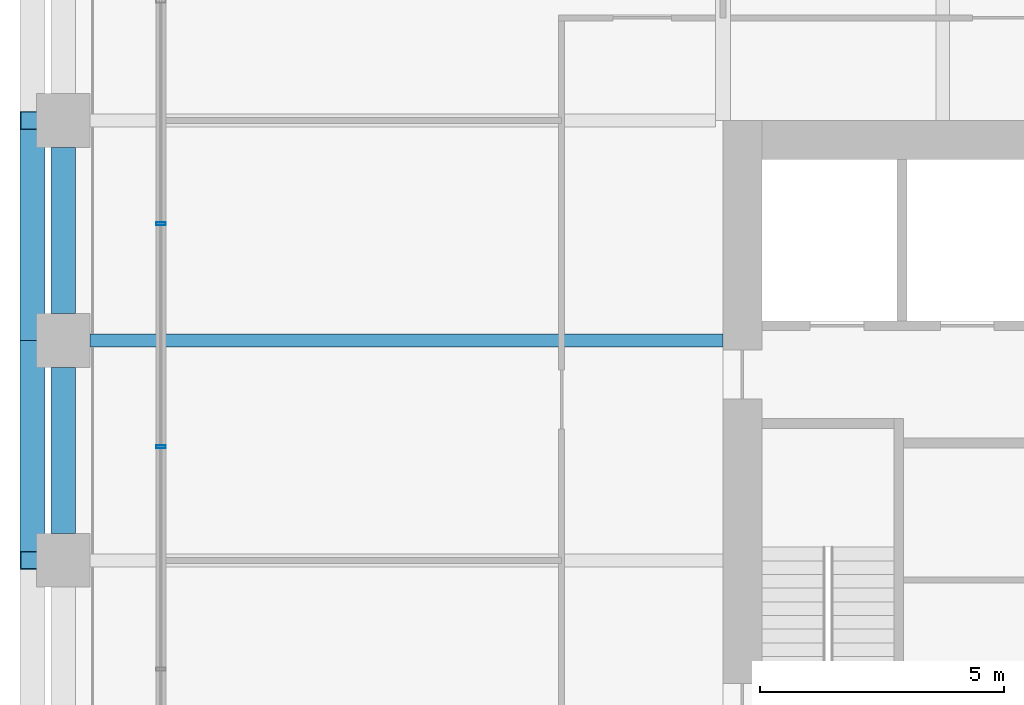
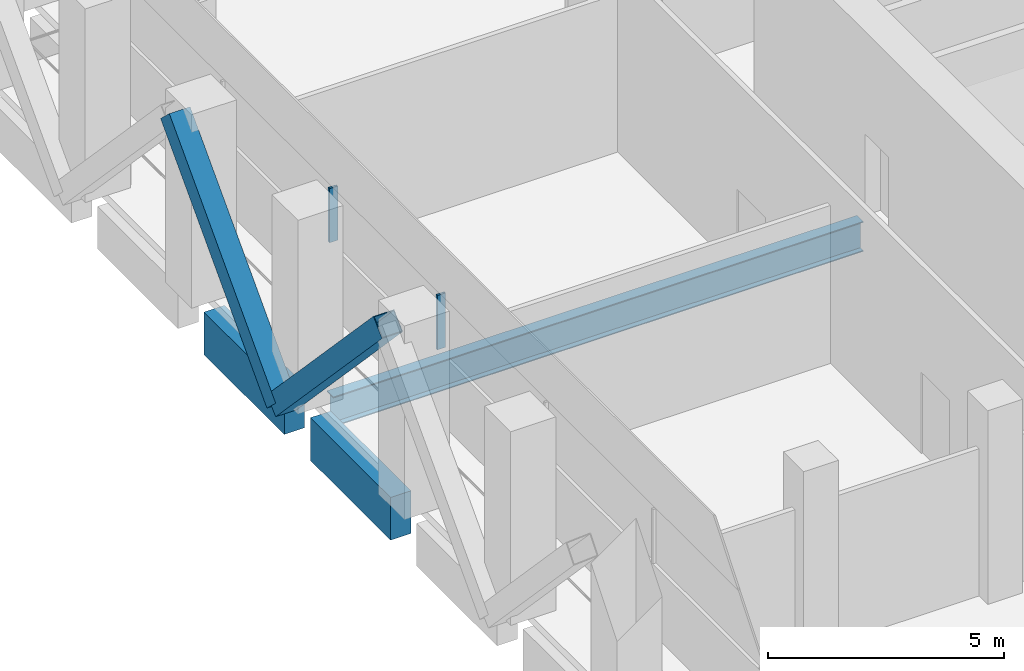
# One storey, part 9 of 44: 4 members, 3 beams, 1 element without a shape of its own.
"""IFC4 building model written with IfcOpenShell, lengths in metres."""

from ifc_helpers import new_model, si_unit, direction, frame, origin, origin_2d, place, context, subcontext, project, spatial, rectangle, hollow_rectangle, i_section, extrude, material, material_profile, profile_set, type_object, element, aggregate, save


model = new_model("IFC4")

# Units and contexts
model_context = context("Model", 3, precision=1e-05, world=origin(), true_north=direction((0.0, 1.0)))
body_context = subcontext(model_context, "Body", "Model", "MODEL_VIEW")
ifc_project = project(units=[si_unit("LENGTHUNIT", "METRE"), si_unit("AREAUNIT", "SQUARE_METRE"), si_unit("VOLUMEUNIT", "CUBIC_METRE"), si_unit("PLANEANGLEUNIT", "RADIAN"), si_unit("MASSUNIT", "GRAM", prefix="KILO")], contexts=[model_context])

# Site, building, storey
site_placement = place(None, origin())
site = spatial("IfcSite", under=ifc_project, at=site_placement, CompositionType="ELEMENT")
building_placement = place(site_placement, origin())
building = spatial("IfcBuilding", under=site, at=building_placement, Name="Altepetl Exchange Towers", CompositionType="ELEMENT")
storey_placement = place(building_placement, frame((0.0, 0.0, 87.0)))
storey = spatial("IfcBuildingStorey", under=building, at=storey_placement, Name="L21 Refuge", CompositionType="ELEMENT", Elevation=87.0)

# Members
ifc_material_1 = material(Name="Steel S355", Category="steel")
ifc_material_profile_1 = material_profile(ifc_material_1, hollow_rectangle(XDim=0.508056640625, YDim=0.508056640625, WallThickness=0.017578125, at=origin_2d()), Name="HSS508X508X19.0")
ifc_profile_set_1 = profile_set([ifc_material_profile_1], Name="Steel S355")
member_type_1 = type_object("IfcMemberType", Name="Belt diagonal HSS508X508X19.0", PredefinedType="BRACE", material=ifc_profile_set_1)
for number, where, z_axis, x_axis, name in (
    (1, (26.3701171875, 58.5, 4.75), (0.0, -0.687744647911, -0.725952683906), (1.0, 0.0, 0.0), "brc:A:L21:023"),
    (2, (26.3701171875, 54.0, 0.0), (0.0, -0.687744647911, 0.725952683906), (1.0, 0.0, 0.0), "brc:A:L21:024"),
):
    element("IfcMember", number, at=place(storey_placement, frame(where, z_axis=z_axis, x_axis=x_axis)), inside=storey, type_object=member_type_1, Name=name, PredefinedType="BRACE", context=body_context, shape_type="SweptSolid", body=[
        extrude(hollow_rectangle(XDim=0.508056640625, YDim=0.508056640625, WallThickness=0.017578125, at=origin_2d()), origin(), (0.0, 0.0, 1.0), 6.543212890625),
    ])

# Beam
ifc_material_profile_2 = material_profile(ifc_material_1, i_section(OverallWidth=0.26806640625, OverallDepth=0.77392578125, WebThickness=0.015380859375, FlangeThickness=0.025390625, at=origin_2d()), Name="W30X132")
ifc_profile_set_2 = profile_set([ifc_material_profile_2], Name="Steel S355")
beam_type_1 = type_object("IfcBeamType", Name="Floor beam W30X132", PredefinedType="BEAM", material=ifc_profile_set_2)
beam_placement = place(storey_placement, frame((27.550048828125, 54.0, -0.5869140625), z_axis=(1.0, 0.0, 0.0), x_axis=(0.0, 1.0, 0.0)))
element("IfcBeam", 3, at=beam_placement, inside=storey, type_object=beam_type_1, Name="bm:A:L21:020", PredefinedType="BEAM", context=body_context, shape_type="SweptSolid", body=[
    extrude(i_section(OverallWidth=0.26806640625, OverallDepth=0.77392578125, WebThickness=0.015380859375, FlangeThickness=0.025390625, at=origin_2d()), origin(), (0.0, 0.0, 1.0), 12.949951171875),
])

# Curtain wall, members
ifc_material_2 = material(Name="Aluminium 6063-T6 glazing", Category="aluminium")
curtain_wall_type = type_object("IfcCurtainWallType", Name="Refuge slit glazing system", PredefinedType="NOTDEFINED", material=ifc_material_2)
curtain_wall_placement = place(storey_placement, origin())
curtain_wall = element("IfcCurtainWall", 4, at=curtain_wall_placement, inside=storey, type_object=curtain_wall_type, Name="CW3 run", PredefinedType="NOTDEFINED")
ifc_material_3 = material(Name="Aluminium 6063-T6", Category="aluminium")
ifc_material_profile_3 = material_profile(ifc_material_3, hollow_rectangle(XDim=0.06005859375, YDim=0.199951171875, WallThickness=0.0029296875, at=origin_2d()), Name="Mullion 60x200 aluminium")
ifc_profile_set_3 = profile_set([ifc_material_profile_3], Name="Aluminium 6063-T6")
member_type_2 = type_object("IfcMemberType", Name="Mullion 60x200 aluminium", PredefinedType="MULLION", material=ifc_profile_set_3)
member_1_placement = place(storey_placement, frame((29.0, 56.3857421875, 1.800048828125), z_axis=(0.0, 0.0, 1.0), x_axis=(0.0, -1.0, 0.0)))
member_1 = element("IfcMember", 5, at=member_1_placement, type_object=member_type_2, Name="MU2 mullion", PredefinedType="MULLION", context=body_context, shape_type="SweptSolid", body=[
    extrude(hollow_rectangle(XDim=0.06005859375, YDim=0.199951171875, WallThickness=0.0029296875, at=origin_2d()), origin(), (0.0, 0.0, 1.0), 1.39990234375),
])
member_2_placement = place(storey_placement, frame((29.0, 51.82861328125, 1.800048828125), z_axis=(0.0, 0.0, 1.0), x_axis=(0.0, -1.0, 0.0)))
member_2 = element("IfcMember", 6, at=member_2_placement, type_object=member_type_2, Name="MU2 mullion", PredefinedType="MULLION", context=body_context, shape_type="SweptSolid", body=[
    extrude(hollow_rectangle(XDim=0.06005859375, YDim=0.199951171875, WallThickness=0.0029296875, at=origin_2d()), origin(), (0.0, 0.0, 1.0), 1.39990234375),
])
aggregate(curtain_wall, [member_1, member_2])

# Beams
ifc_material_4 = material(Name="Concrete C50/60 precast with tezontle facing", Category="concrete")
ifc_material_profile_4 = material_profile(ifc_material_4, rectangle(XDim=0.5, YDim=1.10009765625, at=origin_2d()), Name="500 x 1100")
ifc_profile_set_4 = profile_set([ifc_material_profile_4], Name="Concrete C50/60 precast with tezontle facing")
beam_type_2 = type_object("IfcBeamType", Name="Spandrel beam 500x1100 tezontle", PredefinedType="SPANDREL", material=ifc_profile_set_4)
for number, where, z_axis, x_axis, name in (
    (7, (27.0, 57.949951171875, -0.75), (0.0, -1.0, 0.0), (1.0, 0.0, 0.0), "sp:A:L21:038"),
    (8, (27.0, 53.449951171875, -0.75), (0.0, -1.0, 0.0), (1.0, 0.0, 0.0), "sp:A:L21:039"),
):
    element("IfcBeam", number, at=place(storey_placement, frame(where, z_axis=z_axis, x_axis=x_axis)), inside=storey, type_object=beam_type_2, Name=name, PredefinedType="SPANDREL", context=body_context, shape_type="SweptSolid", body=[
        extrude(rectangle(XDim=0.5, YDim=1.10009765625, at=origin_2d()), origin(), (0.0, 0.0, 1.0), 3.39990234375),
    ])

save(model, "model.ifc")
